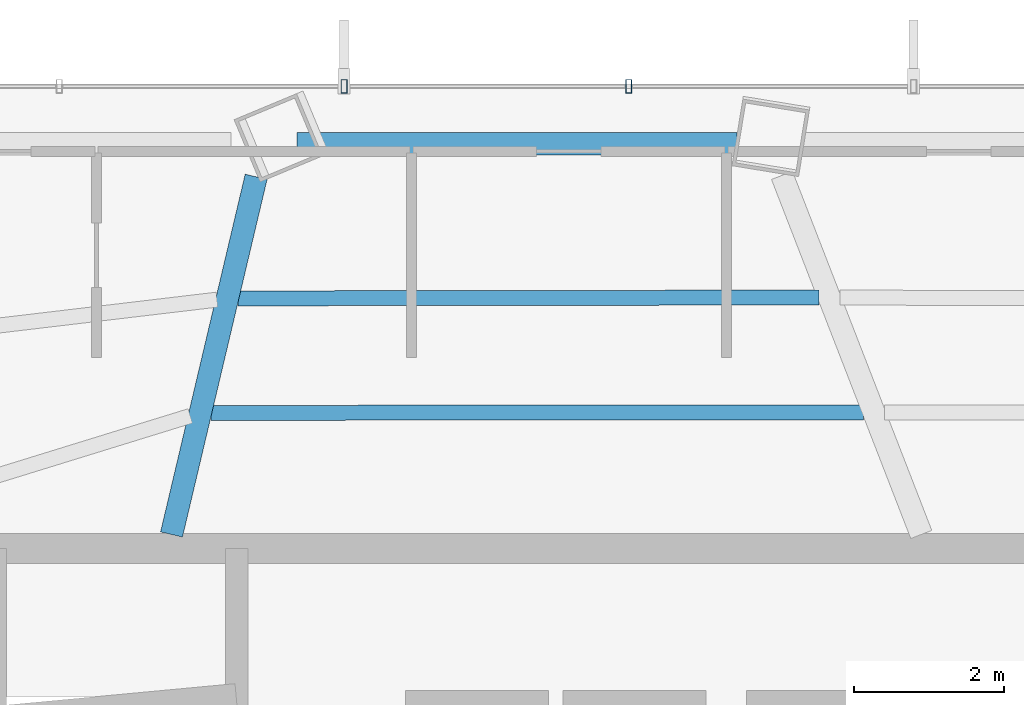
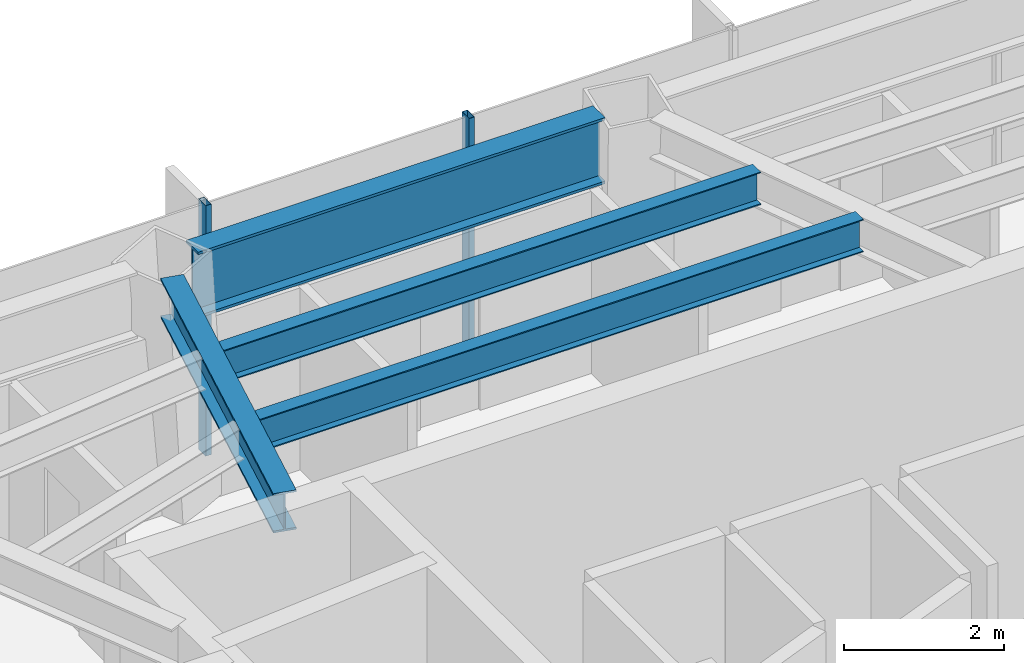
# One storey, part 13 of 26: 4 beams, 2 members, 1 element without a shape of its own.
"""IFC4 building model written with IfcOpenShell, lengths in metres."""

from ifc_helpers import new_model, si_unit, direction, frame, origin, origin_2d, place, context, subcontext, project, spatial, hollow_rectangle, i_section, extrude, material, layer, layer_set, material_profile, profile_set, type_object, element, aggregate, save


model = new_model("IFC4")

# Units and contexts
model_context = context("Model", 3, precision=1e-05, world=origin(), true_north=direction((0.0, 1.0)))
body_context = subcontext(model_context, "Body", "Model", "MODEL_VIEW")
ifc_project = project(units=[si_unit("LENGTHUNIT", "METRE"), si_unit("AREAUNIT", "SQUARE_METRE"), si_unit("VOLUMEUNIT", "CUBIC_METRE"), si_unit("PLANEANGLEUNIT", "RADIAN"), si_unit("MASSUNIT", "GRAM", prefix="KILO")], contexts=[model_context])

# Site, building, storey
site_placement = place(None, origin())
site = spatial("IfcSite", under=ifc_project, at=site_placement, CompositionType="ELEMENT")
building_placement = place(site_placement, origin())
building = spatial("IfcBuilding", under=site, at=building_placement, Name="Zarrinselat Tower", CompositionType="ELEMENT")
storey_placement = place(building_placement, frame((0.0, 0.0, 92.820068359375)))
storey = spatial("IfcBuildingStorey", under=building, at=storey_placement, Name="L22", CompositionType="ELEMENT", Elevation=92.820068359375)

# Beams
ifc_material_1 = material(Name="Steel S355J2", Category="steel")
ifc_material_profile_1 = material_profile(ifc_material_1, i_section(OverallWidth=0.300048828125, OverallDepth=0.60009765625, WebThickness=0.015380859375, FlangeThickness=0.030029296875, at=origin_2d()), Name="HEB 600")
ifc_profile_set_1 = profile_set([ifc_material_profile_1], Name="Steel S355J2")
beam_type_1 = type_object("IfcBeamType", Name="BM-HEB600", PredefinedType="BEAM", material=ifc_profile_set_1)
beam_1_placement = place(storey_placement, frame((31.0, 43.639892578125, 3.52001953125), z_axis=(0.23024671518, 0.973132288103, 0.0), x_axis=(-0.973132288103, 0.23024671518, 0.0)))
element("IfcBeam", 1, at=beam_1_placement, inside=storey, type_object=beam_type_1, Name="L22 Radial Primary Girder RG04", PredefinedType="BEAM", context=body_context, shape_type="SweptSolid", body=[
    extrude(i_section(OverallWidth=0.300048828125, OverallDepth=0.60009765625, WebThickness=0.015380859375, FlangeThickness=0.030029296875, at=origin_2d()), origin(), (0.0, 0.0, 1.0), 4.90185546875),
])
ifc_material_2 = material(Name="Steel S460M", Category="steel")
ifc_material_profile_2 = material_profile(ifc_material_2, i_section(OverallWidth=0.302001953125, OverallDepth=1.008056640625, WebThickness=0.02099609375, FlangeThickness=0.0400390625, at=origin_2d()), Name="HEM 1000")
ifc_profile_set_2 = profile_set([ifc_material_profile_2], Name="Steel S460M")
beam_type_2 = type_object("IfcBeamType", Name="BM-HEM1000", PredefinedType="BEAM", material=ifc_profile_set_2)
beam_2_placement = place(storey_placement, frame((32.6708984375, 48.85009765625, 3.31591796875), z_axis=(1.0, 0.0, 0.0), x_axis=(0.0, 1.0, 0.0)))
element("IfcBeam", 2, at=beam_2_placement, inside=storey, type_object=beam_type_2, Name="L22 Perimeter Spandrel Girder SP03", PredefinedType="BEAM", context=body_context, shape_type="SweptSolid", body=[
    extrude(i_section(OverallWidth=0.302001953125, OverallDepth=1.008056640625, WebThickness=0.02099609375, FlangeThickness=0.0400390625, at=origin_2d()), origin(), (0.0, 0.0, 1.0), 5.8701171875),
])
ifc_material_3 = material(Name="Steel S355J2", Category="steel")
ifc_material_profile_3 = material_profile(ifc_material_3, i_section(OverallWidth=0.199951171875, OverallDepth=0.5, WebThickness=0.01025390625, FlangeThickness=0.01611328125, at=origin_2d()), Name="IPE 500")
ifc_profile_set_3 = profile_set([ifc_material_profile_3], Name="Steel S355J2")
beam_type_3 = type_object("IfcBeamType", Name="BM-IPE500", PredefinedType="JOIST", material=ifc_profile_set_3)
beam_3_placement = place(storey_placement, frame((31.885009765625, 46.78857421875, 3.56982421875), z_axis=(0.999998856495, 0.001512285605, 0.0), x_axis=(-0.001512285605, 0.999998856495, 0.0)))
element("IfcBeam", 3, at=beam_3_placement, inside=storey, type_object=beam_type_3, Name="L22 Composite Floor Joist 8-1", PredefinedType="JOIST", context=body_context, shape_type="SweptSolid", body=[
    extrude(i_section(OverallWidth=0.199951171875, OverallDepth=0.5, WebThickness=0.01025390625, FlangeThickness=0.01611328125, at=origin_2d()), origin(), (0.0, 0.0, 1.0), 7.7490234375),
])
beam_4_placement = place(storey_placement, frame((31.523681640625, 45.261962890625, 3.56982421875), z_axis=(0.999999754185, 0.00070116376, 0.0), x_axis=(-0.00070116376, 0.999999754185, 0.0)))
element("IfcBeam", 4, at=beam_4_placement, inside=storey, type_object=beam_type_3, Name="L22 Composite Floor Joist 8-2", PredefinedType="JOIST", context=body_context, shape_type="SweptSolid", body=[
    extrude(i_section(OverallWidth=0.199951171875, OverallDepth=0.5, WebThickness=0.01025390625, FlangeThickness=0.01611328125, at=origin_2d()), origin(), (0.0, 0.0, 1.0), 8.704833984375),
])

# Curtain wall, members
ifc_material_4 = material(Name="Extruded Aluminium Alloy EN AW-6063 T6", Category="aluminium")
ifc_layer = layer(ifc_material_4, 0.18505859375)
ifc_layer_set = layer_set([ifc_layer], Name="Extruded Aluminium Alloy EN AW-6063 T6")
curtain_wall_type = type_object("IfcCurtainWallType", Name="CWS-OFF", PredefinedType="NOTDEFINED", material=ifc_layer_set)
curtain_wall_placement = place(storey_placement, origin())
curtain_wall = element("IfcCurtainWall", 5, at=curtain_wall_placement, inside=storey, type_object=curtain_wall_type, Name="L22 Unitised Curtain Wall CW-L22-E01", PredefinedType="NOTDEFINED")
ifc_material_5 = material(Name="Extruded Aluminium Alloy EN AW-6063 T6", Category="aluminium")
ifc_material_profile_4 = material_profile(ifc_material_5, hollow_rectangle(XDim=0.080078125, YDim=0.179931640625, WallThickness=0.0048828125, at=origin_2d()), Name="RHS 180x80x5")
ifc_profile_set_4 = profile_set([ifc_material_profile_4], Name="Extruded Aluminium Alloy EN AW-6063 T6")
member_type = type_object("IfcMemberType", Name="MEM-CW-MUL", PredefinedType="MULLION", material=ifc_profile_set_4)
member_1_placement = place(storey_placement, frame((37.098876953125, 49.61669921875, 0.0), z_axis=(0.0, 0.0, 1.0), x_axis=(-1.0, 0.0, 0.0)))
member_1 = element("IfcMember", 6, at=member_1_placement, type_object=member_type, Name="CW-L22-E01 Mullion 4", PredefinedType="MULLION", context=body_context, shape_type="SweptSolid", body=[
    extrude(hollow_rectangle(XDim=0.080078125, YDim=0.179931640625, WallThickness=0.0048828125, at=origin_2d()), origin(), (0.0, 0.0, 1.0), 3.81982421875),
])
member_2_placement = place(storey_placement, frame((33.30078125, 49.61669921875, 0.0), z_axis=(0.0, 0.0, 1.0), x_axis=(-1.0, 0.0, 0.0)))
member_2 = element("IfcMember", 7, at=member_2_placement, type_object=member_type, Name="CW-L22-E01 Mullion 5", PredefinedType="MULLION", context=body_context, shape_type="SweptSolid", body=[
    extrude(hollow_rectangle(XDim=0.080078125, YDim=0.179931640625, WallThickness=0.0048828125, at=origin_2d()), origin(), (0.0, 0.0, 1.0), 3.81982421875),
])
aggregate(curtain_wall, [member_1, member_2])

save(model, "model.ifc")
